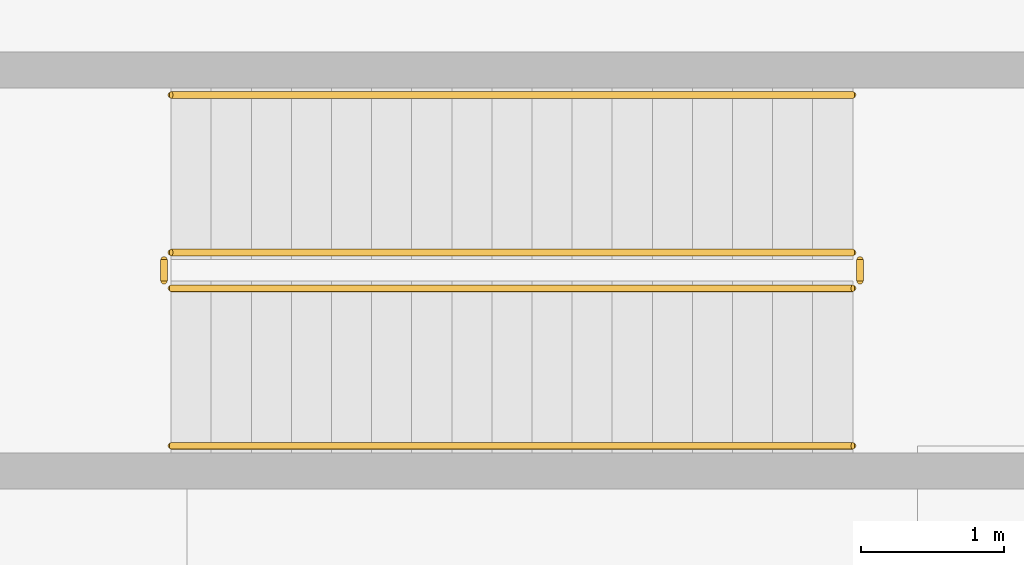
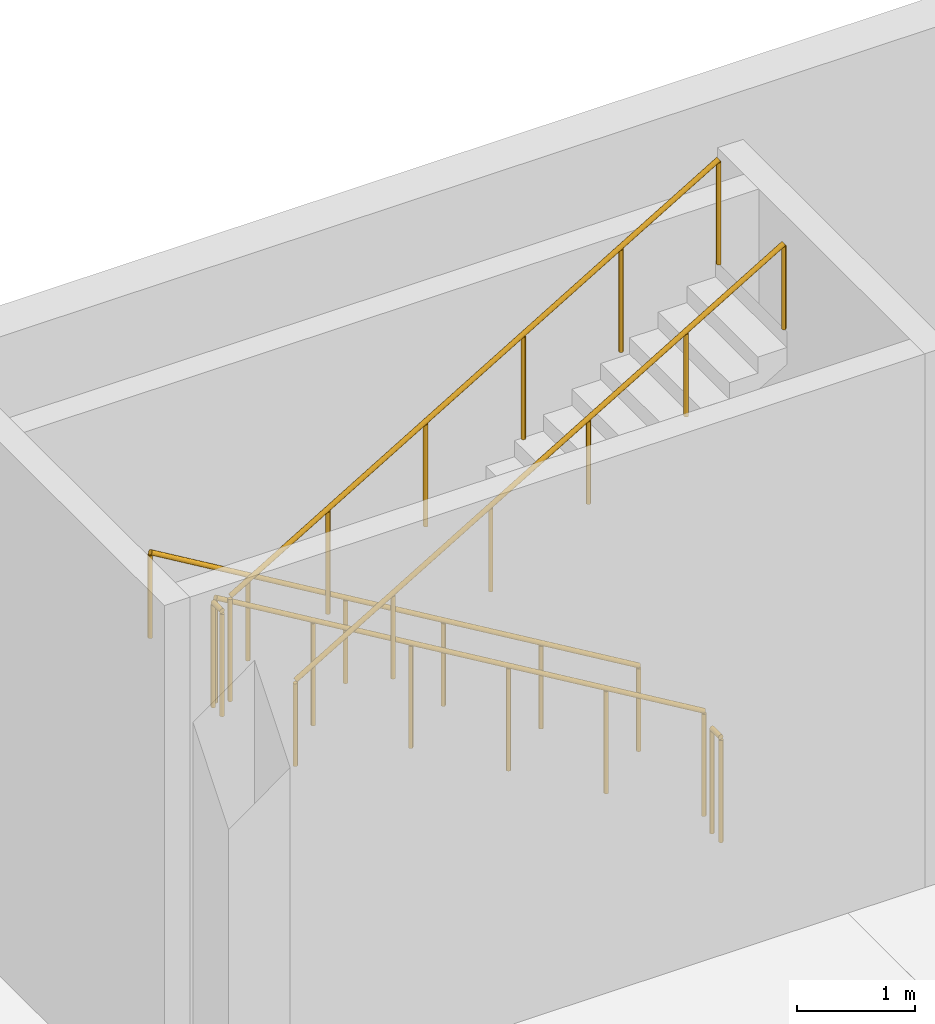
# One storey, part 38 of 39: 6 railings.
"""IFC4 building model written with IfcOpenShell, lengths in metres."""

from ifc_helpers import new_model, si_unit, direction, frame, origin, origin_2d, place, context, subcontext, project, spatial, circle, extrude, material, type_object, element, save


model = new_model("IFC4")

# Units and contexts
model_context = context("Model", 3, precision=1e-05, world=origin(), true_north=direction((0.0, 1.0)))
body_context = subcontext(model_context, "Body", "Model", "MODEL_VIEW")
ifc_project = project(units=[si_unit("LENGTHUNIT", "METRE"), si_unit("AREAUNIT", "SQUARE_METRE"), si_unit("VOLUMEUNIT", "CUBIC_METRE"), si_unit("PLANEANGLEUNIT", "RADIAN"), si_unit("MASSUNIT", "GRAM", prefix="KILO")], contexts=[model_context])

# Site, building, storey
site_placement = place(None, origin())
site = spatial("IfcSite", under=ifc_project, at=site_placement, CompositionType="ELEMENT")
building_placement = place(site_placement, origin())
building = spatial("IfcBuilding", under=site, at=building_placement, Name="Tamorin Gate", CompositionType="ELEMENT")
storey_placement = place(building_placement, frame((0.0, 0.0, -12.0)))
storey = spatial("IfcBuildingStorey", under=building, at=storey_placement, Name="B2", CompositionType="ELEMENT", Elevation=-12.0)

# Railings
ifc_material = material(Name="Steel, galvanised", Category="steel")
railing_type_1 = type_object("IfcRailingType", Name="Steel guard 1100", PredefinedType="GUARDRAIL", material=ifc_material)
railing_1_placement = place(storey_placement, frame((225.64990234375, 49.14990234375, 0.166748046875)))
element("IfcRailing", 1, at=railing_1_placement, inside=storey, type_object=railing_type_1, Name="B2 SB9 stair guard 1", PredefinedType="GUARDRAIL", context=body_context, shape_type="SweptSolid", body=[
    extrude(circle(Radius=0.02392578125, at=origin_2d()), frame((0.0, 0.0, 1.076171875), z_axis=(-0.859299802514, 0.0, 0.511472237174), x_axis=(0.0, -1.0, 0.0)), (0.0, 0.0, 1.0), 5.539306640625),
    extrude(circle(Radius=0.02099609375, at=origin_2d()), origin(), (0.0, 0.0, 1.0), 1.052001953125),
    extrude(circle(Radius=0.02099609375, at=origin_2d()), frame((-0.951904296875, 0.0, 0.566650390625)), (0.0, 0.0, 1.0), 1.052001953125),
    extrude(circle(Radius=0.02099609375, at=origin_2d()), frame((-1.904052734375, 0.0, 1.13330078125)), (0.0, 0.0, 1.0), 1.052001953125),
    extrude(circle(Radius=0.02099609375, at=origin_2d()), frame((-2.85595703125, 0.0, 1.699951171875)), (0.0, 0.0, 1.0), 1.052001953125),
    extrude(circle(Radius=0.02099609375, at=origin_2d()), frame((-3.80810546875, 0.0, 2.2666015625)), (0.0, 0.0, 1.0), 1.052001953125),
    extrude(circle(Radius=0.02099609375, at=origin_2d()), frame((-4.760009765625, 0.0, 2.833251953125)), (0.0, 0.0, 1.0), 1.052001953125),
])
railing_2_placement = place(storey_placement, frame((220.840087890625, 49.10009765625, 3.0)))
element("IfcRailing", 2, at=railing_2_placement, inside=storey, type_object=railing_type_1, Name="B2 SB9 stair guard 2", PredefinedType="GUARDRAIL", context=body_context, shape_type="SweptSolid", body=[
    extrude(circle(Radius=0.02392578125, at=origin_2d()), frame((0.0, 0.0, 1.076171875), z_axis=(0.0, -1.0, 0.0), x_axis=(1.0, 0.0, 0.0)), (0.0, 0.0, 1.0), 0.150146484375),
    extrude(circle(Radius=0.02099609375, at=origin_2d()), origin(), (0.0, 0.0, 1.0), 1.052001953125),
    extrude(circle(Radius=0.02099609375, at=origin_2d()), frame((0.0, -0.150146484375, 0.0)), (0.0, 0.0, 1.0), 1.052001953125),
])
railing_3_placement = place(storey_placement, frame((220.889892578125, 48.89990234375, 3.166748046875)))
element("IfcRailing", 3, at=railing_3_placement, inside=storey, type_object=railing_type_1, Name="B2 SB9 stair guard 3", PredefinedType="GUARDRAIL", context=body_context, shape_type="SweptSolid", body=[
    extrude(circle(Radius=0.02392578125, at=origin_2d()), frame((0.0, 0.0, 1.076171875), z_axis=(0.859299802514, 0.0, 0.511472237174), x_axis=(0.0, 1.0, 0.0)), (0.0, 0.0, 1.0), 5.539306640625),
    extrude(circle(Radius=0.02099609375, at=origin_2d()), origin(), (0.0, 0.0, 1.0), 1.052001953125),
    extrude(circle(Radius=0.02099609375, at=origin_2d()), frame((0.951904296875, 0.0, 0.566650390625)), (0.0, 0.0, 1.0), 1.052001953125),
    extrude(circle(Radius=0.02099609375, at=origin_2d()), frame((1.904052734375, 0.0, 1.13330078125)), (0.0, 0.0, 1.0), 1.052001953125),
    extrude(circle(Radius=0.02099609375, at=origin_2d()), frame((2.85595703125, 0.0, 1.699951171875)), (0.0, 0.0, 1.0), 1.052001953125),
    extrude(circle(Radius=0.02099609375, at=origin_2d()), frame((3.80810546875, 0.0, 2.2666015625)), (0.0, 0.0, 1.0), 1.052001953125),
    extrude(circle(Radius=0.02099609375, at=origin_2d()), frame((4.760009765625, 0.0, 2.833251953125)), (0.0, 0.0, 1.0), 1.052001953125),
])
railing_4_placement = place(storey_placement, frame((225.699951171875, 49.10009765625, 0.0)))
element("IfcRailing", 4, at=railing_4_placement, inside=storey, type_object=railing_type_1, Name="B2 SB9 stair guard 4", PredefinedType="GUARDRAIL", context=body_context, shape_type="SweptSolid", body=[
    extrude(circle(Radius=0.02392578125, at=origin_2d()), frame((0.0, 0.0, 1.076171875), z_axis=(0.0, -1.0, 0.0), x_axis=(1.0, 0.0, 0.0)), (0.0, 0.0, 1.0), 0.150146484375),
    extrude(circle(Radius=0.02099609375, at=origin_2d()), origin(), (0.0, 0.0, 1.0), 1.052001953125),
    extrude(circle(Radius=0.02099609375, at=origin_2d()), frame((0.0, -0.150146484375, 0.0)), (0.0, 0.0, 1.0), 1.052001953125),
])
railing_type_2 = type_object("IfcRailingType", Name="Steel handrail 900", PredefinedType="HANDRAIL", material=ifc_material)
railing_5_placement = place(storey_placement, frame((225.64990234375, 50.25, 0.166748046875)))
element("IfcRailing", 5, at=railing_5_placement, inside=storey, type_object=railing_type_2, Name="B2 SB9 stair handrail 1", PredefinedType="HANDRAIL", context=body_context, shape_type="SweptSolid", body=[
    extrude(circle(Radius=0.02392578125, at=origin_2d()), frame((0.0, 0.0, 0.8759765625), z_axis=(-0.859299802514, 0.0, 0.511472237174), x_axis=(0.0, -1.0, 0.0)), (0.0, 0.0, 1.0), 5.539306640625),
    extrude(circle(Radius=0.02099609375, at=origin_2d()), origin(), (0.0, 0.0, 1.0), 0.851806640625),
    extrude(circle(Radius=0.02099609375, at=origin_2d()), frame((-0.951904296875, 0.0, 0.566650390625)), (0.0, 0.0, 1.0), 0.851806640625),
    extrude(circle(Radius=0.02099609375, at=origin_2d()), frame((-1.904052734375, 0.0, 1.13330078125)), (0.0, 0.0, 1.0), 0.851806640625),
    extrude(circle(Radius=0.02099609375, at=origin_2d()), frame((-2.85595703125, 0.0, 1.699951171875)), (0.0, 0.0, 1.0), 0.851806640625),
    extrude(circle(Radius=0.02099609375, at=origin_2d()), frame((-3.80810546875, 0.0, 2.2666015625)), (0.0, 0.0, 1.0), 0.851806640625),
    extrude(circle(Radius=0.02099609375, at=origin_2d()), frame((-4.760009765625, 0.0, 2.833251953125)), (0.0, 0.0, 1.0), 0.851806640625),
])
railing_6_placement = place(storey_placement, frame((220.889892578125, 47.800048828125, 3.166748046875)))
element("IfcRailing", 6, at=railing_6_placement, inside=storey, type_object=railing_type_2, Name="B2 SB9 stair handrail 2", PredefinedType="HANDRAIL", context=body_context, shape_type="SweptSolid", body=[
    extrude(circle(Radius=0.02392578125, at=origin_2d()), frame((0.0, 0.0, 0.8759765625), z_axis=(0.859299802514, 0.0, 0.511472237174), x_axis=(0.0, 1.0, 0.0)), (0.0, 0.0, 1.0), 5.539306640625),
    extrude(circle(Radius=0.02099609375, at=origin_2d()), origin(), (0.0, 0.0, 1.0), 0.851806640625),
    extrude(circle(Radius=0.02099609375, at=origin_2d()), frame((0.951904296875, 0.0, 0.566650390625)), (0.0, 0.0, 1.0), 0.851806640625),
    extrude(circle(Radius=0.02099609375, at=origin_2d()), frame((1.904052734375, 0.0, 1.13330078125)), (0.0, 0.0, 1.0), 0.851806640625),
    extrude(circle(Radius=0.02099609375, at=origin_2d()), frame((2.85595703125, 0.0, 1.699951171875)), (0.0, 0.0, 1.0), 0.851806640625),
    extrude(circle(Radius=0.02099609375, at=origin_2d()), frame((3.80810546875, 0.0, 2.2666015625)), (0.0, 0.0, 1.0), 0.851806640625),
    extrude(circle(Radius=0.02099609375, at=origin_2d()), frame((4.760009765625, 0.0, 2.833251953125)), (0.0, 0.0, 1.0), 0.851806640625),
])

save(model, "model.ifc")
